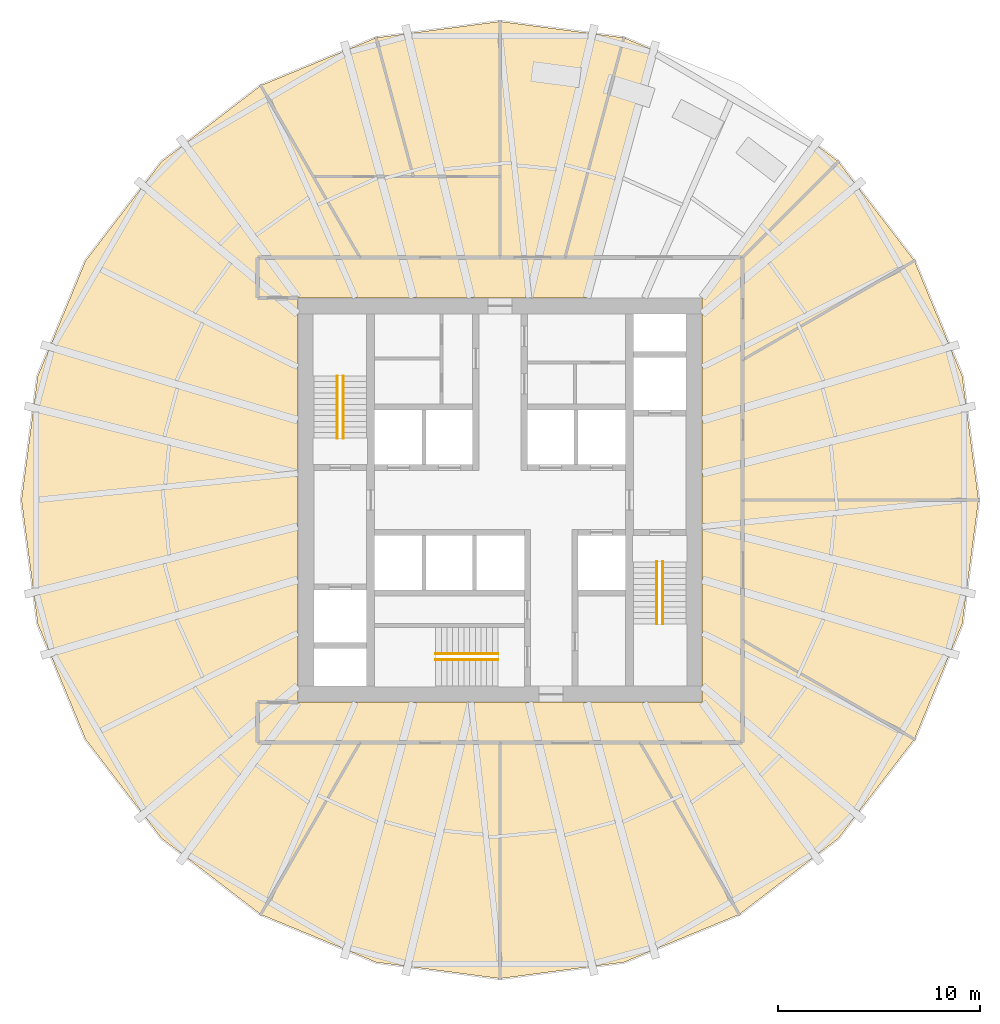
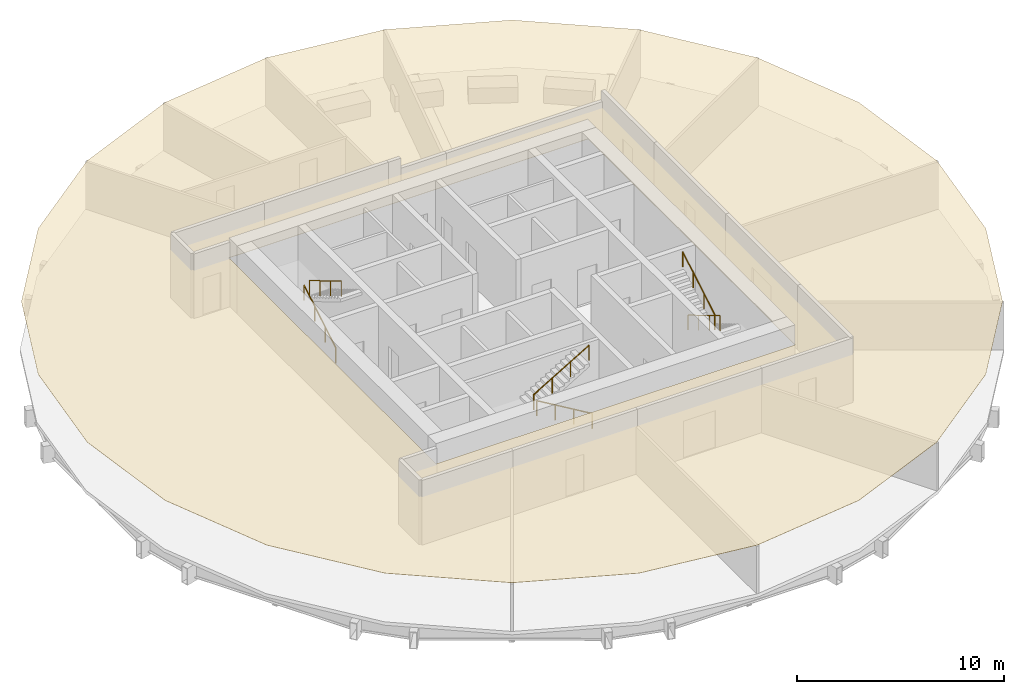
# One storey, part 6 of 7: 6 railings, 1 covering.
"""IFC4 building model written with IfcOpenShell, lengths in metres."""

from ifc_helpers import new_model, si_unit, direction, frame, origin, origin_2d, place, context, subcontext, project, spatial, polyline, circle, outline, extrude, material, layer, layer_set, type_object, element, save


model = new_model("IFC4")

# Units and contexts
model_context = context("Model", 3, precision=1e-05, world=origin(), true_north=direction((0.0, 1.0)))
body_context = subcontext(model_context, "Body", "Model", "MODEL_VIEW")
ifc_project = project(units=[si_unit("LENGTHUNIT", "METRE"), si_unit("AREAUNIT", "SQUARE_METRE"), si_unit("VOLUMEUNIT", "CUBIC_METRE"), si_unit("PLANEANGLEUNIT", "RADIAN"), si_unit("MASSUNIT", "GRAM", prefix="KILO")], contexts=[model_context])

# Site, building, storey
site_placement = place(None, origin())
site = spatial("IfcSite", under=ifc_project, at=site_placement, CompositionType="ELEMENT")
building_placement = place(site_placement, origin())
building = spatial("IfcBuilding", under=site, at=building_placement, Name="Golbaran Civic Tower", CompositionType="ELEMENT")
storey_placement = place(building_placement, frame((0.0, 0.0, 65.0)))
storey = spatial("IfcBuildingStorey", under=building, at=storey_placement, Name="L15", CompositionType="ELEMENT", Elevation=65.0)

# Railings
ifc_material_1 = material(Name="Stainless steel", Category="steel")
railing_type = type_object("IfcRailingType", Name="STAIR HANDRAIL 900", PredefinedType="HANDRAIL", material=ifc_material_1)
railing_1_placement = place(storey_placement, frame((-8.050048828125, 3.050048828125, 0.166748046875)))
element("IfcRailing", 1, at=railing_1_placement, inside=storey, type_object=railing_type, Name="Stair S1 handrail flight 1 L15", PredefinedType="HANDRAIL", context=body_context, shape_type="SweptSolid", body=[
    extrude(circle(Radius=0.02392578125, at=origin_2d()), frame((0.0, 0.0, 0.8759765625), z_axis=(0.0, 0.859290745958, 0.51148745235), x_axis=(-1.0, 0.0, 0.0)), (0.0, 0.0, 1.0), 3.584228515625),
    extrude(circle(Radius=0.02099609375, at=origin_2d()), origin(), (0.0, 0.0, 1.0), 0.851806640625),
    extrude(circle(Radius=0.02099609375, at=origin_2d()), frame((0.0, 1.026611328125, 0.611083984375)), (0.0, 0.0, 1.0), 0.851806640625),
    extrude(circle(Radius=0.02099609375, at=origin_2d()), frame((0.0, 2.05322265625, 1.22216796875)), (0.0, 0.0, 1.0), 0.851806640625),
    extrude(circle(Radius=0.02099609375, at=origin_2d()), frame((0.0, 3.079833984375, 1.833251953125)), (0.0, 0.0, 1.0), 0.851806640625),
])
for number, where, name in (
    (2, (-7.75, 6.1298828125, 2.166748046875), "Stair S1 handrail flight 2 L15"),
    (3, (8.050048828125, -3.050048828125, 0.166748046875), "Stair S2 handrail flight 1 L15"),
):
    element("IfcRailing", number, at=place(storey_placement, frame(where)), inside=storey, type_object=railing_type, Name=name, PredefinedType="HANDRAIL", context=body_context, shape_type="SweptSolid", body=[
        extrude(circle(Radius=0.02392578125, at=origin_2d()), frame((0.0, 0.0, 0.8759765625), z_axis=(0.0, -0.859290745958, 0.51148745235), x_axis=(1.0, 0.0, 0.0)), (0.0, 0.0, 1.0), 3.584228515625),
        extrude(circle(Radius=0.02099609375, at=origin_2d()), origin(), (0.0, 0.0, 1.0), 0.851806640625),
        extrude(circle(Radius=0.02099609375, at=origin_2d()), frame((0.0, -1.026611328125, 0.611083984375)), (0.0, 0.0, 1.0), 0.851806640625),
        extrude(circle(Radius=0.02099609375, at=origin_2d()), frame((0.0, -2.05322265625, 1.22216796875)), (0.0, 0.0, 1.0), 0.851806640625),
        extrude(circle(Radius=0.02099609375, at=origin_2d()), frame((0.0, -3.079833984375, 1.833251953125)), (0.0, 0.0, 1.0), 0.851806640625),
    ])
railing_2_placement = place(storey_placement, frame((7.75, -6.1298828125, 2.166748046875)))
element("IfcRailing", 4, at=railing_2_placement, inside=storey, type_object=railing_type, Name="Stair S2 handrail flight 2 L15", PredefinedType="HANDRAIL", context=body_context, shape_type="SweptSolid", body=[
    extrude(circle(Radius=0.02392578125, at=origin_2d()), frame((0.0, 0.0, 0.8759765625), z_axis=(0.0, 0.859290745958, 0.51148745235), x_axis=(-1.0, 0.0, 0.0)), (0.0, 0.0, 1.0), 3.584228515625),
    extrude(circle(Radius=0.02099609375, at=origin_2d()), origin(), (0.0, 0.0, 1.0), 0.851806640625),
    extrude(circle(Radius=0.02099609375, at=origin_2d()), frame((0.0, 1.026611328125, 0.611083984375)), (0.0, 0.0, 1.0), 0.851806640625),
    extrude(circle(Radius=0.02099609375, at=origin_2d()), frame((0.0, 2.05322265625, 1.22216796875)), (0.0, 0.0, 1.0), 0.851806640625),
    extrude(circle(Radius=0.02099609375, at=origin_2d()), frame((0.0, 3.079833984375, 1.833251953125)), (0.0, 0.0, 1.0), 0.851806640625),
])
railing_3_placement = place(storey_placement, frame((-0.10009765625, -7.89990234375, 0.166748046875)))
element("IfcRailing", 5, at=railing_3_placement, inside=storey, type_object=railing_type, Name="Stair S3 handrail flight 1 L15", PredefinedType="HANDRAIL", context=body_context, shape_type="SweptSolid", body=[
    extrude(circle(Radius=0.02392578125, at=origin_2d()), frame((0.0, 0.0, 0.8759765625), z_axis=(-0.859290745958, 0.0, 0.51148745235), x_axis=(0.0, -1.0, 0.0)), (0.0, 0.0, 1.0), 3.584228515625),
    extrude(circle(Radius=0.02099609375, at=origin_2d()), origin(), (0.0, 0.0, 1.0), 0.851806640625),
    extrude(circle(Radius=0.02099609375, at=origin_2d()), frame((-1.026611328125, 0.0, 0.611083984375)), (0.0, 0.0, 1.0), 0.851806640625),
    extrude(circle(Radius=0.02099609375, at=origin_2d()), frame((-2.05322265625, 0.0, 1.22216796875)), (0.0, 0.0, 1.0), 0.851806640625),
    extrude(circle(Radius=0.02099609375, at=origin_2d()), frame((-3.079833984375, 0.0, 1.833251953125)), (0.0, 0.0, 1.0), 0.851806640625),
])
railing_4_placement = place(storey_placement, frame((-3.179931640625, -7.60009765625, 2.166748046875)))
element("IfcRailing", 6, at=railing_4_placement, inside=storey, type_object=railing_type, Name="Stair S3 handrail flight 2 L15", PredefinedType="HANDRAIL", context=body_context, shape_type="SweptSolid", body=[
    extrude(circle(Radius=0.02392578125, at=origin_2d()), frame((0.0, 0.0, 0.8759765625), z_axis=(0.859290745958, 0.0, 0.51148745235), x_axis=(0.0, 1.0, 0.0)), (0.0, 0.0, 1.0), 3.584228515625),
    extrude(circle(Radius=0.02099609375, at=origin_2d()), origin(), (0.0, 0.0, 1.0), 0.851806640625),
    extrude(circle(Radius=0.02099609375, at=origin_2d()), frame((1.026611328125, 0.0, 0.611083984375)), (0.0, 0.0, 1.0), 0.851806640625),
    extrude(circle(Radius=0.02099609375, at=origin_2d()), frame((2.05322265625, 0.0, 1.22216796875)), (0.0, 0.0, 1.0), 0.851806640625),
    extrude(circle(Radius=0.02099609375, at=origin_2d()), frame((3.079833984375, 0.0, 1.833251953125)), (0.0, 0.0, 1.0), 0.851806640625),
])

# Covering
ifc_material_2 = material(Name="Mineral fibre tile on steel grid", Category="steel")
ifc_layer = layer(ifc_material_2, 0.02001953125, Name="Mineral fibre tile on steel grid")
ifc_layer_set = layer_set([ifc_layer], Name="Mineral fibre tile on steel grid")
covering_type = type_object("IfcCoveringType", Name="SUSPENDED CEILING 600 TILE 20", PredefinedType="CEILING", material=ifc_layer_set)
covering_placement = place(storey_placement, frame((0.0, 0.0, 2.800048828125)))
element("IfcCovering", 7, at=covering_placement, inside=storey, type_object=covering_type, Name="Suspended ceiling L15", PredefinedType="CEILING", context=body_context, shape_type="SweptSolid", body=[
    extrude(outline(polyline([(-22.860595703125, 6.12548828125), (-20.496337890625, 11.83349609375), (-16.735107421875, 16.735107421875), (-11.83349609375, 20.496337890625), (-6.12548828125, 22.860595703125), (0.0, 23.6669921875), (6.12548828125, 22.860595703125), (11.83349609375, 20.496337890625), (16.735107421875, 16.735107421875), (20.496337890625, 11.83349609375), (22.860595703125, 6.12548828125), (23.6669921875, 0.0), (22.860595703125, -6.12548828125), (20.496337890625, -11.83349609375), (16.735107421875, -16.735107421875), (11.83349609375, -20.496337890625), (6.12548828125, -22.860595703125), (0.0, -23.6669921875), (-6.12548828125, -22.860595703125), (-11.83349609375, -20.496337890625), (-16.735107421875, -16.735107421875), (-20.496337890625, -11.83349609375), (-22.860595703125, -6.12548828125), (-23.6669921875, 0.0), (-22.860595703125, 6.12548828125)]), holes=[polyline([(-10.0, 10.0), (-10.0, -10.0), (10.0, -10.0), (10.0, 10.0), (-10.0, 10.0)])]), origin(), (0.0, 0.0, 1.0), 0.02001953125),
])

save(model, "model.ifc")
